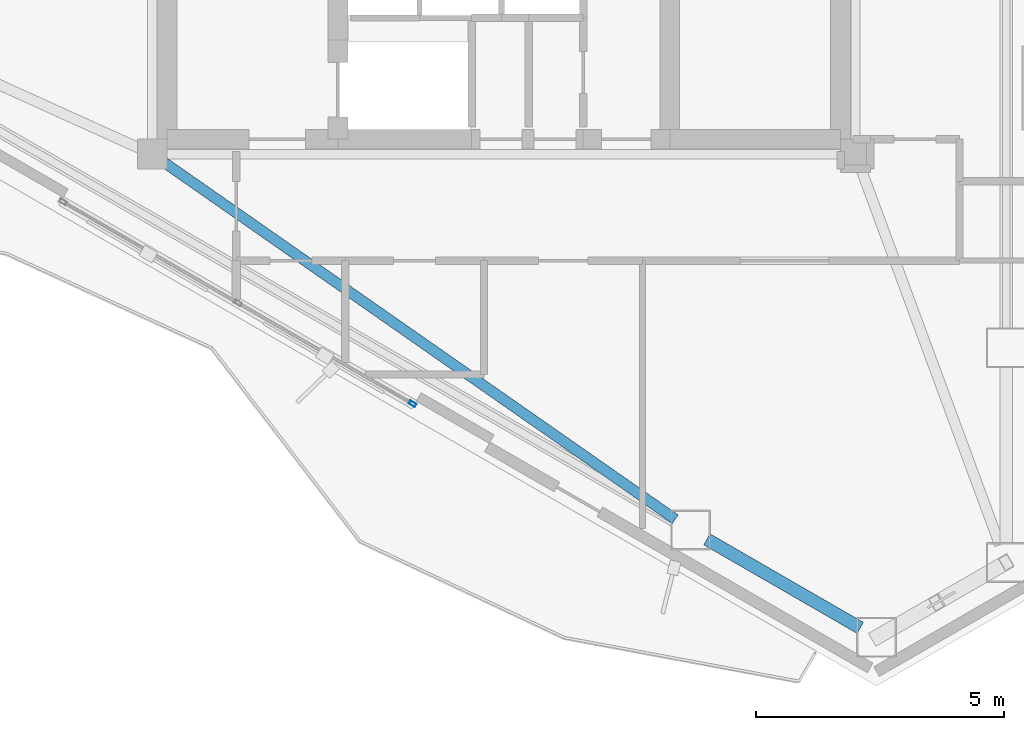
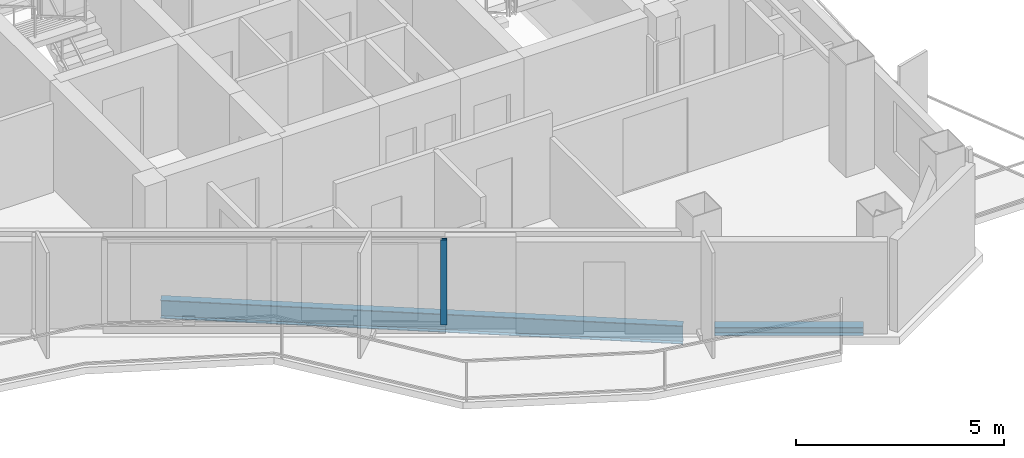
# One storey, part 5 of 18: 2 beams, 1 member, 1 element without a shape of its own.
"""IFC4 building model written with IfcOpenShell, lengths in metres."""

import ifcopenshell
import ifcopenshell.guid

model = None  # the IFC model being written
_history = None  # IfcOwnerHistory: only IFC2X3 demands one
_inside = {}  # id of a spatial element -> (the spatial element, [elements in it])
_under = {}  # id of a project, library or spatial element -> (it, [spatial elements below it])
_declared = {}  # id of a project -> (the project, [libraries it declares])
_typed = {}  # id of a type object -> (the type object, [elements of that type])
_made_of = {}  # id of a material, layer set ... -> (it, [elements and type objects made of it])


def new_model(schema):
    """Start an empty IFC model of exactly this schema.

    Asked for "IFC4X3", IfcOpenShell would pick the latest addendum, in which some entities
    have other attributes; the version numbers below select the first issue.
    IFC2X3 requires an IfcOwnerHistory on every rooted entity: one is made here for all.
    """
    global model, _history
    if schema == "IFC4X3":
        model = ifcopenshell.file(schema_version=(4, 3, 0, 0))
    else:
        model = ifcopenshell.file(schema=schema)
    _inside.clear()
    _under.clear()
    _declared.clear()
    _typed.clear()
    _made_of.clear()
    _history = None
    if model.schema == "IFC2X3":
        org = make("IfcOrganization", Name="unknown")
        user = make(
            "IfcPersonAndOrganization",
            ThePerson=make("IfcPerson", FamilyName="unknown"),
            TheOrganization=org,
        )
        app = make(
            "IfcApplication",
            ApplicationDeveloper=org,
            Version="unknown",
            ApplicationFullName="unknown",
            ApplicationIdentifier="unknown",
        )
        _history = make(
            "IfcOwnerHistory",
            OwningUser=user,
            OwningApplication=app,
            ChangeAction="ADDED",
            CreationDate=0,
        )
    return model


def make(cls, **values):
    """One entity of the class cls with the attributes given. An attribute that is None is left unset."""
    return model.create_entity(
        cls, **{name: value for name, value in values.items() if value is not None}
    )


def rooted(cls, **values):
    """An entity with a GlobalId (a new one), such as an element, a storey or a relation."""
    return make(cls, GlobalId=ifcopenshell.guid.new(), OwnerHistory=_history, **values)


def si_unit(unit_type, name, prefix=None):
    """IfcSIUnit, for example si_unit("LENGTHUNIT", "METRE", prefix="MILLI")."""
    return make("IfcSIUnit", UnitType=unit_type, Prefix=prefix, Name=name)


def assignment(units):
    """IfcUnitAssignment: the units of a project."""
    return None if units is None else make("IfcUnitAssignment", Units=units)


def point(xyz):
    """IfcCartesianPoint."""
    return None if xyz is None else make("IfcCartesianPoint", Coordinates=xyz)


def direction(xyz):
    """IfcDirection."""
    return None if xyz is None else make("IfcDirection", DirectionRatios=xyz)


def frame(location, z_axis=None, x_axis=None):
    """IfcAxis2Placement3D, a coordinate frame: its origin and axes. An axis left out is left unset."""
    return make(
        "IfcAxis2Placement3D",
        Location=point(location),
        Axis=direction(z_axis),
        RefDirection=direction(x_axis),
    )


def frame_2d(location, x_axis=None):
    """IfcAxis2Placement2D, a coordinate frame in the plane: its origin and x axis."""
    return make(
        "IfcAxis2Placement2D", Location=point(location), RefDirection=direction(x_axis)
    )


def origin():
    """The frame at (0, 0, 0) with its axes left unset."""
    return frame((0.0, 0.0, 0.0))


def origin_2d():
    """The frame at (0, 0) in the plane with its x axis left unset."""
    return frame_2d((0.0, 0.0))


def place(relative_to, where):
    """IfcLocalPlacement: puts the frame where relative to a parent placement (None: the world)."""
    return make(
        "IfcLocalPlacement", PlacementRelTo=relative_to, RelativePlacement=where
    )


def context(
    kind, dimensions, precision=None, world=None, true_north=None, identifier=None
):
    """IfcGeometricRepresentationContext, for example the 3D "Model" context."""
    return make(
        "IfcGeometricRepresentationContext",
        ContextIdentifier=identifier,
        ContextType=kind,
        CoordinateSpaceDimension=dimensions,
        Precision=precision,
        WorldCoordinateSystem=world,
        TrueNorth=true_north,
    )


def subcontext(parent, identifier, kind, view, scale=None):
    """IfcGeometricRepresentationSubContext, for example "Body" below "Model"."""
    return make(
        "IfcGeometricRepresentationSubContext",
        ContextIdentifier=identifier,
        ContextType=kind,
        ParentContext=parent,
        TargetScale=scale,
        TargetView=view,
    )


def project(units=None, contexts=None):
    """IfcProject with its units and contexts."""
    return rooted(
        "IfcProject",
        Name="project",
        RepresentationContexts=contexts,
        UnitsInContext=assignment(units),
    )


def spatial(cls, under=None, at=None, **own):
    """A site, building, storey or space (cls), placed at a placement, below another one or the project."""
    s = rooted(cls, ObjectPlacement=at, **own)
    if under is not None:
        _under.setdefault(under.id(), (under, []))[1].append(s)
    return s


def profile(cls, at=None, kind="AREA", **sizes):
    """A parametric profile (cls). Its sizes go by their IFC names, for example OverallWidth=200.0."""
    return make(cls, ProfileType=kind, Position=at, **sizes)


def hollow_rectangle(**sizes):
    """IfcRectangleHollowProfileDef."""
    return profile("IfcRectangleHollowProfileDef", **sizes)


def i_section(**sizes):
    """IfcIShapeProfileDef."""
    return profile("IfcIShapeProfileDef", **sizes)


def extrude(swept, where, along, depth):
    """IfcExtrudedAreaSolid: the profile swept, set in the frame where, extruded along a direction by depth."""
    return make(
        "IfcExtrudedAreaSolid",
        SweptArea=swept,
        Position=where,
        ExtrudedDirection=direction(along),
        Depth=depth,
    )


def shape(context_of_items, identifier, shape_type, items):
    """IfcShapeRepresentation: the items that make up one representation, for example the "Body"."""
    return make(
        "IfcShapeRepresentation",
        ContextOfItems=context_of_items,
        RepresentationIdentifier=identifier,
        RepresentationType=shape_type,
        Items=items,
    )


def material(Name=None, Category=None):
    """IfcMaterial."""
    return make("IfcMaterial", Name=Name, Category=Category)


def layer(
    of_material, thickness, ventilated=None, Name=None, Category=None, Priority=None
):
    """IfcMaterialLayer: one layer of a wall or slab, of a material (None: an air gap)."""
    return make(
        "IfcMaterialLayer",
        Material=of_material,
        LayerThickness=thickness,
        IsVentilated=ventilated,
        Name=Name,
        Category=Category,
        Priority=Priority,
    )


def layer_set(layers, Name=None):
    """IfcMaterialLayerSet."""
    return make("IfcMaterialLayerSet", MaterialLayers=layers, LayerSetName=Name)


def material_profile(
    of_material, cross_section, Name=None, Category=None, Priority=None
):
    """IfcMaterialProfile: a cross section and its material."""
    return make(
        "IfcMaterialProfile",
        Name=Name,
        Material=of_material,
        Profile=cross_section,
        Priority=Priority,
        Category=Category,
    )


def profile_set(profiles, Name=None, composite=None):
    """IfcMaterialProfileSet."""
    return make(
        "IfcMaterialProfileSet",
        Name=Name,
        MaterialProfiles=profiles,
        CompositeProfile=composite,
    )


def made_of(thing, what):
    """Note that an element or type object is made of a material, layer set ...; save() writes the relation."""
    if what is not None:
        _made_of.setdefault(what.id(), (what, []))[1].append(thing)
    return thing


def type_object(cls, material=None, **own):
    """A type object (cls), such as IfcWallType, which elements share."""
    return made_of(rooted(cls, **own), material)


def element(
    cls,
    number,
    at=None,
    inside=None,
    cuts=None,
    type_object=None,
    material=None,
    context=None,
    identifier="Body",
    shape_type=None,
    held_by="IfcProductDefinitionShape",
    body=None,
    shapes=None,
    **own,
):
    """One element of the class cls, such as IfcWall. Its Tag is "e" and its number.

    at: its placement. inside: the storey or other place that contains it. cuts: it is an
    opening in that element (IfcRelVoidsElement). A single representation is given by context,
    identifier, shape_type and body (its items); several are given by shapes. held_by: the class
    of the entity that holds the representations. save() writes the other relations.
    """
    e = rooted(cls, Tag="e%d" % number, ObjectPlacement=at, **own)
    if body is not None:
        shapes = [shape(context, identifier, shape_type, body)]
    if shapes is not None:
        e.Representation = make(held_by, Representations=shapes)
    if inside is not None:
        _inside.setdefault(inside.id(), (inside, []))[1].append(e)
    if cuts is not None:
        rooted(
            "IfcRelVoidsElement", RelatingBuildingElement=cuts, RelatedOpeningElement=e
        )
    if type_object is not None:
        _typed.setdefault(type_object.id(), (type_object, []))[1].append(e)
    return made_of(e, material)


def aggregate(whole, parts):
    """IfcRelAggregates: a whole, such as a stair, and the parts it consists of."""
    return rooted("IfcRelAggregates", RelatingObject=whole, RelatedObjects=parts)


def save(model, path):
    """Write the relations noted so far, then the file.

    IfcRelAggregates (storeys below a building ...), IfcRelContainedInSpatialStructure (elements
    in a storey), IfcRelDefinesByType, IfcRelAssociatesMaterial and IfcRelDeclares: one each for
    every whole, place, type object, material and project.
    """
    for whole, parts in _under.values():
        aggregate(whole, parts)
    for where, things in _inside.values():
        rooted(
            "IfcRelContainedInSpatialStructure",
            RelatedElements=things,
            RelatingStructure=where,
        )
    for kind, things in _typed.values():
        rooted("IfcRelDefinesByType", RelatedObjects=things, RelatingType=kind)
    for what, things in _made_of.values():
        rooted("IfcRelAssociatesMaterial", RelatedObjects=things, RelatingMaterial=what)
    for by, libraries in _declared.values():
        rooted("IfcRelDeclares", RelatingContext=by, RelatedDefinitions=libraries)
    model.write(path)


model = new_model("IFC4")

# Units and contexts
model_context = context("Model", 3, precision=1e-05, world=origin(), true_north=direction((0.0, 1.0)))
body_context = subcontext(model_context, "Body", "Model", "MODEL_VIEW")
ifc_project = project(units=[si_unit("LENGTHUNIT", "METRE"), si_unit("AREAUNIT", "SQUARE_METRE"), si_unit("VOLUMEUNIT", "CUBIC_METRE"), si_unit("PLANEANGLEUNIT", "RADIAN"), si_unit("MASSUNIT", "GRAM", prefix="KILO")], contexts=[model_context])

# Site, building, storey
site_placement = place(None, origin())
site = spatial("IfcSite", under=ifc_project, at=site_placement, CompositionType="ELEMENT")
building_placement = place(site_placement, origin())
building = spatial("IfcBuilding", under=site, at=building_placement, Name="Mersakhor Tower and Convention Hall", CompositionType="ELEMENT")
storey_placement = place(building_placement, frame((0.0, 0.0, 233.10009765625)))
storey = spatial("IfcBuildingStorey", under=building, at=storey_placement, Name="L65", CompositionType="ELEMENT", Elevation=233.10009765625)

# Beams
ifc_material_1 = material(Name="Steel S355", Category="steel")
ifc_material_profile_1 = material_profile(ifc_material_1, i_section(OverallWidth=0.2099609375, OverallDepth=0.53662109375, WebThickness=0.0107421875, FlangeThickness=0.017333984375, at=origin_2d()), Name="UB 533x210x101")
ifc_profile_set_1 = profile_set([ifc_material_profile_1], Name="Steel S355")
beam_type_1 = type_object("IfcBeamType", Name="BM-FB-533", PredefinedType="BEAM", material=ifc_profile_set_1)
beam_1_placement = place(storey_placement, frame((22.129638671875, 20.289794921875, -0.488525390625), z_axis=(0.819954136469, -0.572429221903, 0.0), x_axis=(0.572429221903, 0.819954136469, 0.0)))
element("IfcBeam", 1, at=beam_1_placement, inside=storey, type_object=beam_type_1, Name="L65 Primary Floor Girder FG-5", PredefinedType="BEAM", context=body_context, shape_type="SweptSolid", body=[
    extrude(i_section(OverallWidth=0.2099609375, OverallDepth=0.53662109375, WebThickness=0.0107421875, FlangeThickness=0.017333984375, at=origin_2d()), origin(), (0.0, 0.0, 1.0), 12.598388671875),
])
ifc_material_2 = material(Name="Steel S355", Category="steel")
ifc_material_profile_2 = material_profile(ifc_material_2, i_section(OverallWidth=0.25634765625, OverallDepth=0.26025390625, WebThickness=0.01025390625, FlangeThickness=0.017333984375, at=origin_2d()), Name="UC 254x254x89")
ifc_profile_set_2 = profile_set([ifc_material_profile_2], Name="Steel S355")
beam_type_2 = type_object("IfcBeamType", Name="BM-SPD-UC254", PredefinedType="SPANDREL", material=ifc_profile_set_2)
beam_2_placement = place(storey_placement, frame((36.196044921875, 10.88330078125, -0.35009765625), z_axis=(-0.866002454009, 0.500039748071, 0.0), x_axis=(-0.500039748071, -0.866002454009, 0.0)))
element("IfcBeam", 2, at=beam_2_placement, inside=storey, type_object=beam_type_2, Name="L65 Perimeter Spandrel Beam SPB-09", PredefinedType="SPANDREL", context=body_context, shape_type="SweptSolid", body=[
    extrude(i_section(OverallWidth=0.25634765625, OverallDepth=0.26025390625, WebThickness=0.01025390625, FlangeThickness=0.017333984375, at=origin_2d()), origin(), (0.0, 0.0, 1.0), 3.574462890625),
])

# Curtain wall, member
ifc_material_3 = material(Name="Dark solar low-E aluminium curtain wall", Category="aluminium")
ifc_layer = layer(ifc_material_3, 0.179931640625)
ifc_layer_set = layer_set([ifc_layer], Name="Dark solar low-E aluminium curtain wall")
curtain_wall_type = type_object("IfcCurtainWallType", Name="CW-SYS-03", PredefinedType="USERDEFINED", material=ifc_layer_set)
curtain_wall_placement = place(storey_placement, origin())
curtain_wall = element("IfcCurtainWall", 3, at=curtain_wall_placement, inside=storey, type_object=curtain_wall_type, Name="L65 Dark-Glass Curtain Wall F3-B2", ObjectType="CURTAIN WALL", PredefinedType="USERDEFINED")
ifc_material_4 = material(Name="Anodised aluminium EN AW-6063 T6", Category="aluminium")
ifc_material_profile_3 = material_profile(ifc_material_4, hollow_rectangle(XDim=0.074951171875, YDim=0.14990234375, WallThickness=0.00634765625, at=origin_2d()), Name="RHS 150x75x6.3")
ifc_profile_set_3 = profile_set([ifc_material_profile_3], Name="Anodised aluminium EN AW-6063 T6")
member_type = type_object("IfcMemberType", Name="CWM-150x75", PredefinedType="MULLION", material=ifc_profile_set_3)
member_placement = place(storey_placement, frame((27.158935546875, 15.408203125, 0.199951171875), z_axis=(0.0, 0.0, 1.0), x_axis=(-0.500004411169, -0.86602285698, 0.0)))
member = element("IfcMember", 4, at=member_placement, type_object=member_type, Name="CW-03 mullion 1", PredefinedType="MULLION", context=body_context, shape_type="SweptSolid", body=[
    extrude(hollow_rectangle(XDim=0.074951171875, YDim=0.14990234375, WallThickness=0.00634765625, at=origin_2d()), origin(), (0.0, 0.0, 1.0), 2.5),
])
aggregate(curtain_wall, [member])

save(model, "model.ifc")
